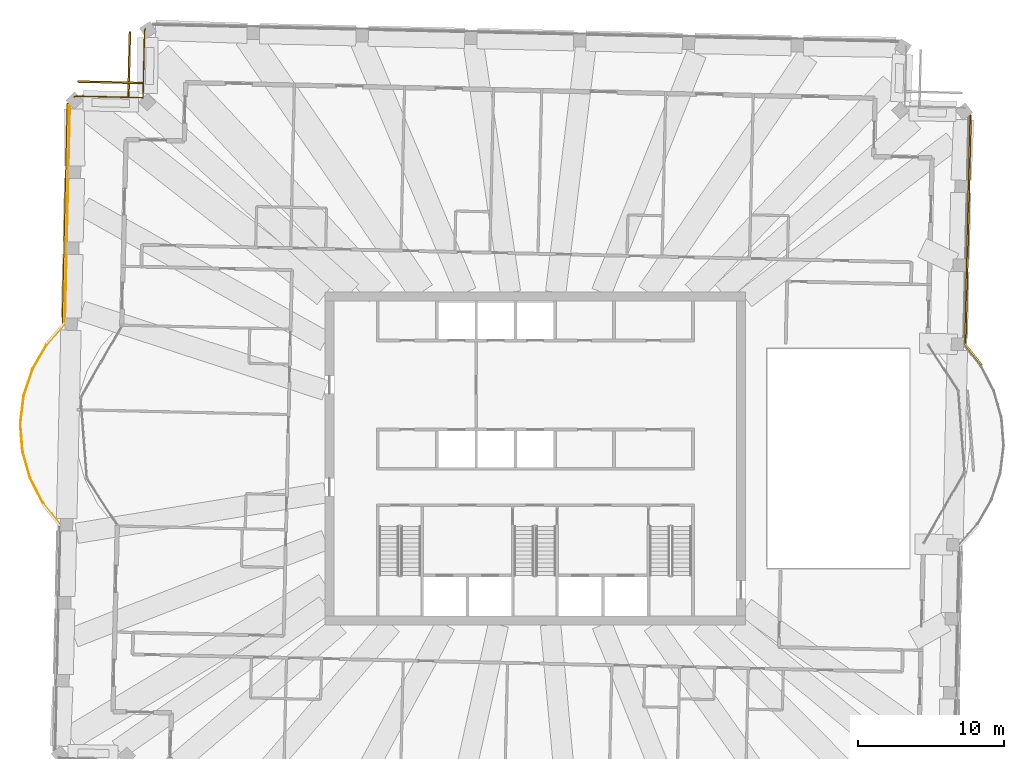
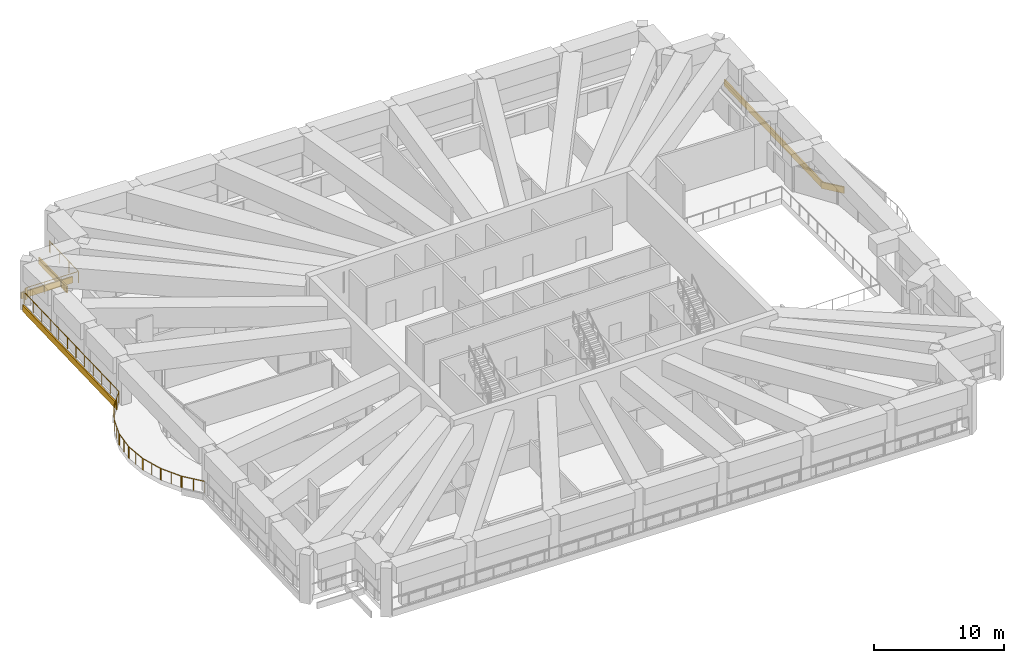
# One storey, part 20 of 21: 5 coverings, 2 railings.
"""IFC4 building model written with IfcOpenShell, lengths in metres."""

from ifc_helpers import new_model, si_unit, direction, frame, frame_2d, origin, origin_2d, place, context, subcontext, project, spatial, rectangle, extrude, material, layer, layer_set, type_object, element, save


model = new_model("IFC4")

# Units and contexts
model_context = context("Model", 3, precision=1e-05, world=origin(), true_north=direction((0.0, 1.0)))
body_context = subcontext(model_context, "Body", "Model", "MODEL_VIEW")
ifc_project = project(units=[si_unit("LENGTHUNIT", "METRE"), si_unit("AREAUNIT", "SQUARE_METRE"), si_unit("VOLUMEUNIT", "CUBIC_METRE"), si_unit("PLANEANGLEUNIT", "RADIAN"), si_unit("MASSUNIT", "GRAM", prefix="KILO")], contexts=[model_context])

# Site, building, storey
site_placement = place(None, origin())
site = spatial("IfcSite", under=ifc_project, at=site_placement, CompositionType="ELEMENT")
building_placement = place(site_placement, origin())
building = spatial("IfcBuilding", under=site, at=building_placement, Name="Mangrove Gate Tower", CompositionType="ELEMENT")
storey_placement = place(building_placement, frame((0.0, 0.0, 329.699951171875)))
storey = spatial("IfcBuildingStorey", under=building, at=storey_placement, Name="L84", CompositionType="ELEMENT", Elevation=329.699951171875)

# Railings
ifc_material_1 = material(Name="Stainless steel grade 316 with laminated glass infill", Category="steel")
railing_type = type_object("IfcRailingType", Name="Balcony guard 1100", PredefinedType="GUARDRAIL", material=ifc_material_1)
railing_1_placement = place(storey_placement, frame((-32.555908203125, -4.514892578125, 0.0)))
element("IfcRailing", 1, at=railing_1_placement, inside=storey, type_object=railing_type, Name="GUARD L84 T1.1", PredefinedType="GUARDRAIL", context=body_context, shape_type="SweptSolid", body=[
    extrude(rectangle(XDim=0.048095703125, YDim=0.048095703125, at=origin_2d()), frame((0.0, 0.0, 1.076171875), z_axis=(-0.6255800572, 0.780159978487, 0.0), x_axis=(-0.780159978487, -0.6255800572, 0.0)), (0.0, 0.0, 1.0), 1.849365234375),
    extrude(rectangle(XDim=0.048095703125, YDim=0.048095703125, at=origin_2d()), frame((-1.156982421875, 1.44287109375, 1.076171875), z_axis=(-0.57801734078, 0.816024481102, 0.0), x_axis=(-0.816024481102, -0.57801734078, 0.0)), (0.0, 0.0, 1.0), 0.05029296875),
    extrude(rectangle(XDim=0.048095703125, YDim=0.048095703125, at=origin_2d()), frame((-1.18603515625, 1.48388671875, 1.076171875), z_axis=(-0.519484808927, 0.854479685712, 0.0), x_axis=(-0.854479685712, -0.519484808927, 0.0)), (0.0, 0.0, 1.0), 0.05029296875),
    extrude(rectangle(XDim=0.048095703125, YDim=0.048095703125, at=origin_2d()), frame((-1.212158203125, 1.52685546875, 1.076171875), z_axis=(-0.45843707563, 0.888726869003, 0.0), x_axis=(-0.888726869003, -0.45843707563, 0.0)), (0.0, 0.0, 1.0), 1.812744140625),
    extrude(rectangle(XDim=0.048095703125, YDim=0.048095703125, at=origin_2d()), frame((-2.043212890625, 3.137939453125, 1.076171875), z_axis=(-0.402905301271, 0.915241672023, 0.0), x_axis=(-0.915241672023, -0.402905301271, 0.0)), (0.0, 0.0, 1.0), 0.049072265625),
    extrude(rectangle(XDim=0.048095703125, YDim=0.048095703125, at=origin_2d()), frame((-2.06298828125, 3.182861328125, 1.076171875), z_axis=(-0.317671360445, 0.948200878903, 0.0), x_axis=(-0.948200878903, -0.317671360445, 0.0)), (0.0, 0.0, 1.0), 0.05078125),
    extrude(rectangle(XDim=0.048095703125, YDim=0.048095703125, at=origin_2d()), frame((-2.0791015625, 3.23095703125, 1.076171875), z_axis=(-0.273136815352, 0.961975197237, 0.0), x_axis=(-0.961975197237, -0.273136815352, 0.0)), (0.0, 0.0, 1.0), 1.811767578125),
    extrude(rectangle(XDim=0.048095703125, YDim=0.048095703125, at=origin_2d()), frame((-2.573974609375, 4.973876953125, 1.076171875), z_axis=(-0.241399461295, 0.970425834408, 0.0), x_axis=(-0.970425834408, -0.241399461295, 0.0)), (0.0, 0.0, 1.0), 0.050537109375),
    extrude(rectangle(XDim=0.048095703125, YDim=0.048095703125, at=origin_2d()), frame((-2.586181640625, 5.02294921875, 1.076171875), z_axis=(-0.119145220618, 0.992876838487, 0.0), x_axis=(-0.992876838487, -0.119145220618, 0.0)), (0.0, 0.0, 1.0), 0.049072265625),
    extrude(rectangle(XDim=0.048095703125, YDim=0.048095703125, at=origin_2d()), frame((-2.592041015625, 5.07177734375, 1.076171875), z_axis=(-0.076737678998, 0.997051316945, 0.0), x_axis=(-0.997051316945, -0.076737678998, 0.0)), (0.0, 0.0, 1.0), 1.8134765625),
    extrude(rectangle(XDim=0.048095703125, YDim=0.048095703125, at=origin_2d()), frame((-2.731201171875, 6.8798828125, 1.076171875), z_axis=(-0.03899470896, 0.999239417093, 0.0), x_axis=(-0.999239417093, -0.03899470896, 0.0)), (0.0, 0.0, 1.0), 0.050048828125),
    extrude(rectangle(XDim=0.048095703125, YDim=0.048095703125, at=origin_2d()), frame((-2.733154296875, 6.929931640625, 1.076171875), z_axis=(0.084276225487, 0.996442430759, 0.0), x_axis=(-0.996442430759, 0.084276225487, 0.0)), (0.0, 0.0, 1.0), 0.04931640625),
    extrude(rectangle(XDim=0.048095703125, YDim=0.048095703125, at=origin_2d()), frame((-2.72900390625, 6.97900390625, 1.076171875), z_axis=(0.121912255429, 0.992540881766, 0.0), x_axis=(-0.992540881766, 0.121912255429, 0.0)), (0.0, 0.0, 1.0), 1.812255859375),
    extrude(rectangle(XDim=0.048095703125, YDim=0.048095703125, at=origin_2d()), frame((-2.508056640625, 8.77783203125, 1.076171875), z_axis=(0.181037892988, 0.983476121369, 0.0), x_axis=(-0.983476121369, 0.181037892988, 0.0)), (0.0, 0.0, 1.0), 0.0498046875),
    extrude(rectangle(XDim=0.048095703125, YDim=0.048095703125, at=origin_2d()), frame((-2.4990234375, 8.826904296875, 1.076171875), z_axis=(0.259797678908, 0.965663070659, 0.0), x_axis=(-0.965663070659, 0.259797678908, 0.0)), (0.0, 0.0, 1.0), 0.0498046875),
    extrude(rectangle(XDim=0.048095703125, YDim=0.048095703125, at=origin_2d()), frame((-2.486083984375, 8.875, 1.076171875), z_axis=(0.316550896183, 0.948575526843, 0.0), x_axis=(-0.948575526843, 0.316550896183, 0.0)), (0.0, 0.0, 1.0), 1.813232421875),
    extrude(rectangle(XDim=0.048095703125, YDim=0.048095703125, at=origin_2d()), frame((-1.912109375, 10.594970703125, 1.076171875), z_axis=(0.366264831108, 0.930510652004, 0.0), x_axis=(-0.930510652004, 0.366264831108, 0.0)), (0.0, 0.0, 1.0), 0.04931640625),
    extrude(rectangle(XDim=0.048095703125, YDim=0.048095703125, at=origin_2d()), frame((-1.89404296875, 10.640869140625, 1.076171875), z_axis=(0.45494050276, 0.890521835189, 0.0), x_axis=(-0.890521835189, 0.45494050276, 0.0)), (0.0, 0.0, 1.0), 0.050537109375),
    extrude(rectangle(XDim=0.048095703125, YDim=0.048095703125, at=origin_2d()), frame((-1.87109375, 10.685791015625, 1.076171875), z_axis=(0.498357212209, 0.866971792528, 0.0), x_axis=(-0.866971792528, 0.498357212209, 0.0)), (0.0, 0.0, 1.0), 1.81201171875),
    extrude(rectangle(XDim=0.048095703125, YDim=0.048095703125, at=origin_2d()), frame((-0.968017578125, 12.2568359375, 1.076171875), z_axis=(0.538775689721, 0.842449260291, 0.0), x_axis=(-0.842449260291, 0.538775689721, 0.0)), (0.0, 0.0, 1.0), 0.0498046875),
    extrude(rectangle(XDim=0.048095703125, YDim=0.048095703125, at=origin_2d()), frame((-0.941162109375, 12.298828125, 1.076171875), z_axis=(0.621705532722, 0.783251064846, 0.0), x_axis=(-0.783251064846, 0.621705532722, 0.0)), (0.0, 0.0, 1.0), 0.0498046875),
    extrude(rectangle(XDim=0.048095703125, YDim=0.048095703125, at=origin_2d()), frame((-0.91015625, 12.337890625, 1.076171875), z_axis=(0.660342378742, 0.750964674826, 0.0), x_axis=(-0.750964674826, 0.660342378742, 0.0)), (0.0, 0.0, 1.0), 1.850830078125),
    extrude(rectangle(XDim=0.048095703125, YDim=0.048095703125, at=origin_2d()), frame((0.31201171875, 13.727783203125, 1.076171875), z_axis=(0.563961646158, 0.825800981874, 0.0), x_axis=(-0.825800981874, 0.563961646158, 0.0)), (0.0, 0.0, 1.0), 0.01220703125),
    extrude(rectangle(XDim=0.048095703125, YDim=0.048095703125, at=origin_2d()), frame((0.31884765625, 13.73779296875, 1.076171875), z_axis=(0.079745222283, 0.996815278536, 0.0), x_axis=(-0.996815278536, 0.079745222283, 0.0)), (0.0, 0.0, 1.0), 0.01220703125),
    extrude(rectangle(XDim=0.048095703125, YDim=0.048095703125, at=origin_2d()), frame((0.31982421875, 13.75, 1.076171875), z_axis=(0.022698652356, 0.999742352399, 0.0), x_axis=(-0.999742352399, 0.022698652356, 0.0)), (0.0, 0.0, 1.0), 15.11181640625),
    extrude(rectangle(XDim=0.048095703125, YDim=0.048095703125, at=origin_2d()), frame((0.662841796875, 28.85791015625, 1.076171875), z_axis=(0.084276225487, 0.996442430759, 0.0), x_axis=(-0.996442430759, 0.084276225487, 0.0)), (0.0, 0.0, 1.0), 0.04931640625),
    extrude(rectangle(XDim=0.048095703125, YDim=0.048095703125, at=origin_2d()), frame((0.6669921875, 28.906982421875, 1.076171875), z_axis=(0.161131898902, 0.986932880776, 0.0), x_axis=(-0.986932880776, 0.161131898902, 0.0)), (0.0, 0.0, 1.0), 0.048583984375),
    extrude(rectangle(XDim=0.048095703125, YDim=0.048095703125, at=origin_2d()), frame((0.6748046875, 28.954833984375, 1.076171875), z_axis=(0.26435990501, 0.964424097907, 0.0), x_axis=(-0.964424097907, 0.26435990501, 0.0)), (0.0, 0.0, 1.0), 0.0498046875),
    extrude(rectangle(XDim=0.048095703125, YDim=0.048095703125, at=origin_2d()), frame((0.68798828125, 29.0029296875, 1.076171875), z_axis=(0.344548077029, 0.938768673644, 0.0), x_axis=(-0.938768673644, 0.344548077029, 0.0)), (0.0, 0.0, 1.0), 0.048828125),
    extrude(rectangle(XDim=0.048095703125, YDim=0.048095703125, at=origin_2d()), frame((0.704833984375, 29.048828125, 1.076171875), z_axis=(0.464328266824, 0.885663175608, 0.0), x_axis=(-0.885663175608, 0.464328266824, 0.0)), (0.0, 0.0, 1.0), 0.0283203125),
    extrude(rectangle(XDim=0.0419921875, YDim=0.0419921875, at=origin_2d()), origin(), (0.0, 0.0, 1.0), 1.052001953125),
    extrude(rectangle(XDim=0.0419921875, YDim=0.0419921875, at=origin_2d()), frame((-0.57861328125, 0.721435546875, 0.0)), (0.0, 0.0, 1.0), 1.052001953125),
    extrude(rectangle(XDim=0.0419921875, YDim=0.0419921875, at=origin_2d()), frame((-1.156982421875, 1.44287109375, 0.0)), (0.0, 0.0, 1.0), 1.052001953125),
    extrude(rectangle(XDim=0.0419921875, YDim=0.0419921875, at=origin_2d()), frame((-1.18603515625, 1.48388671875, 0.0)), (0.0, 0.0, 1.0), 1.052001953125),
    extrude(rectangle(XDim=0.0419921875, YDim=0.0419921875, at=origin_2d()), frame((-1.212158203125, 1.52685546875, 0.0)), (0.0, 0.0, 1.0), 1.052001953125),
    extrude(rectangle(XDim=0.0419921875, YDim=0.0419921875, at=origin_2d()), frame((-1.627685546875, 2.33251953125, 0.0)), (0.0, 0.0, 1.0), 1.052001953125),
    extrude(rectangle(XDim=0.0419921875, YDim=0.0419921875, at=origin_2d()), frame((-2.043212890625, 3.137939453125, 0.0)), (0.0, 0.0, 1.0), 1.052001953125),
    extrude(rectangle(XDim=0.0419921875, YDim=0.0419921875, at=origin_2d()), frame((-2.06298828125, 3.182861328125, 0.0)), (0.0, 0.0, 1.0), 1.052001953125),
    extrude(rectangle(XDim=0.0419921875, YDim=0.0419921875, at=origin_2d()), frame((-2.0791015625, 3.23095703125, 0.0)), (0.0, 0.0, 1.0), 1.052001953125),
    extrude(rectangle(XDim=0.0419921875, YDim=0.0419921875, at=origin_2d()), frame((-2.32666015625, 4.1025390625, 0.0)), (0.0, 0.0, 1.0), 1.052001953125),
    extrude(rectangle(XDim=0.0419921875, YDim=0.0419921875, at=origin_2d()), frame((-2.573974609375, 4.973876953125, 0.0)), (0.0, 0.0, 1.0), 1.052001953125),
    extrude(rectangle(XDim=0.0419921875, YDim=0.0419921875, at=origin_2d()), frame((-2.586181640625, 5.02294921875, 0.0)), (0.0, 0.0, 1.0), 1.052001953125),
    extrude(rectangle(XDim=0.0419921875, YDim=0.0419921875, at=origin_2d()), frame((-2.592041015625, 5.07177734375, 0.0)), (0.0, 0.0, 1.0), 1.052001953125),
    extrude(rectangle(XDim=0.0419921875, YDim=0.0419921875, at=origin_2d()), frame((-2.66162109375, 5.975830078125, 0.0)), (0.0, 0.0, 1.0), 1.052001953125),
    extrude(rectangle(XDim=0.0419921875, YDim=0.0419921875, at=origin_2d()), frame((-2.731201171875, 6.8798828125, 0.0)), (0.0, 0.0, 1.0), 1.052001953125),
    extrude(rectangle(XDim=0.0419921875, YDim=0.0419921875, at=origin_2d()), frame((-2.733154296875, 6.929931640625, 0.0)), (0.0, 0.0, 1.0), 1.052001953125),
    extrude(rectangle(XDim=0.0419921875, YDim=0.0419921875, at=origin_2d()), frame((-2.72900390625, 6.97900390625, 0.0)), (0.0, 0.0, 1.0), 1.052001953125),
    extrude(rectangle(XDim=0.0419921875, YDim=0.0419921875, at=origin_2d()), frame((-2.61865234375, 7.87841796875, 0.0)), (0.0, 0.0, 1.0), 1.052001953125),
    extrude(rectangle(XDim=0.0419921875, YDim=0.0419921875, at=origin_2d()), frame((-2.508056640625, 8.77783203125, 0.0)), (0.0, 0.0, 1.0), 1.052001953125),
    extrude(rectangle(XDim=0.0419921875, YDim=0.0419921875, at=origin_2d()), frame((-2.4990234375, 8.826904296875, 0.0)), (0.0, 0.0, 1.0), 1.052001953125),
    extrude(rectangle(XDim=0.0419921875, YDim=0.0419921875, at=origin_2d()), frame((-2.486083984375, 8.875, 0.0)), (0.0, 0.0, 1.0), 1.052001953125),
    extrude(rectangle(XDim=0.0419921875, YDim=0.0419921875, at=origin_2d()), frame((-2.19921875, 9.73486328125, 0.0)), (0.0, 0.0, 1.0), 1.052001953125),
    extrude(rectangle(XDim=0.0419921875, YDim=0.0419921875, at=origin_2d()), frame((-1.912109375, 10.594970703125, 0.0)), (0.0, 0.0, 1.0), 1.052001953125),
    extrude(rectangle(XDim=0.0419921875, YDim=0.0419921875, at=origin_2d()), frame((-1.89404296875, 10.640869140625, 0.0)), (0.0, 0.0, 1.0), 1.052001953125),
    extrude(rectangle(XDim=0.0419921875, YDim=0.0419921875, at=origin_2d()), frame((-1.87109375, 10.685791015625, 0.0)), (0.0, 0.0, 1.0), 1.052001953125),
    extrude(rectangle(XDim=0.0419921875, YDim=0.0419921875, at=origin_2d()), frame((-1.41943359375, 11.47119140625, 0.0)), (0.0, 0.0, 1.0), 1.052001953125),
    extrude(rectangle(XDim=0.0419921875, YDim=0.0419921875, at=origin_2d()), frame((-0.968017578125, 12.2568359375, 0.0)), (0.0, 0.0, 1.0), 1.052001953125),
    extrude(rectangle(XDim=0.0419921875, YDim=0.0419921875, at=origin_2d()), frame((-0.941162109375, 12.298828125, 0.0)), (0.0, 0.0, 1.0), 1.052001953125),
    extrude(rectangle(XDim=0.0419921875, YDim=0.0419921875, at=origin_2d()), frame((-0.91015625, 12.337890625, 0.0)), (0.0, 0.0, 1.0), 1.052001953125),
    extrude(rectangle(XDim=0.0419921875, YDim=0.0419921875, at=origin_2d()), frame((-0.299072265625, 13.03271484375, 0.0)), (0.0, 0.0, 1.0), 1.052001953125),
    extrude(rectangle(XDim=0.0419921875, YDim=0.0419921875, at=origin_2d()), frame((0.31201171875, 13.727783203125, 0.0)), (0.0, 0.0, 1.0), 1.052001953125),
    extrude(rectangle(XDim=0.0419921875, YDim=0.0419921875, at=origin_2d()), frame((0.31884765625, 13.73779296875, 0.0)), (0.0, 0.0, 1.0), 1.052001953125),
    extrude(rectangle(XDim=0.0419921875, YDim=0.0419921875, at=origin_2d()), frame((0.31982421875, 13.75, 0.0)), (0.0, 0.0, 1.0), 1.052001953125),
    extrude(rectangle(XDim=0.0419921875, YDim=0.0419921875, at=origin_2d()), frame((0.35107421875, 15.12353515625, 0.0)), (0.0, 0.0, 1.0), 1.052001953125),
    extrude(rectangle(XDim=0.0419921875, YDim=0.0419921875, at=origin_2d()), frame((0.382080078125, 16.496826171875, 0.0)), (0.0, 0.0, 1.0), 1.052001953125),
    extrude(rectangle(XDim=0.0419921875, YDim=0.0419921875, at=origin_2d()), frame((0.413330078125, 17.870361328125, 0.0)), (0.0, 0.0, 1.0), 1.052001953125),
    extrude(rectangle(XDim=0.0419921875, YDim=0.0419921875, at=origin_2d()), frame((0.444580078125, 19.243896484375, 0.0)), (0.0, 0.0, 1.0), 1.052001953125),
    extrude(rectangle(XDim=0.0419921875, YDim=0.0419921875, at=origin_2d()), frame((0.475830078125, 20.6171875, 0.0)), (0.0, 0.0, 1.0), 1.052001953125),
    extrude(rectangle(XDim=0.0419921875, YDim=0.0419921875, at=origin_2d()), frame((0.5068359375, 21.99072265625, 0.0)), (0.0, 0.0, 1.0), 1.052001953125),
    extrude(rectangle(XDim=0.0419921875, YDim=0.0419921875, at=origin_2d()), frame((0.5380859375, 23.364013671875, 0.0)), (0.0, 0.0, 1.0), 1.052001953125),
    extrude(rectangle(XDim=0.0419921875, YDim=0.0419921875, at=origin_2d()), frame((0.5693359375, 24.737548828125, 0.0)), (0.0, 0.0, 1.0), 1.052001953125),
    extrude(rectangle(XDim=0.0419921875, YDim=0.0419921875, at=origin_2d()), frame((0.6005859375, 26.111083984375, 0.0)), (0.0, 0.0, 1.0), 1.052001953125),
    extrude(rectangle(XDim=0.0419921875, YDim=0.0419921875, at=origin_2d()), frame((0.631591796875, 27.484375, 0.0)), (0.0, 0.0, 1.0), 1.052001953125),
    extrude(rectangle(XDim=0.0419921875, YDim=0.0419921875, at=origin_2d()), frame((0.662841796875, 28.85791015625, 0.0)), (0.0, 0.0, 1.0), 1.052001953125),
    extrude(rectangle(XDim=0.0419921875, YDim=0.0419921875, at=origin_2d()), frame((0.6669921875, 28.906982421875, 0.0)), (0.0, 0.0, 1.0), 1.052001953125),
    extrude(rectangle(XDim=0.0419921875, YDim=0.0419921875, at=origin_2d()), frame((0.6748046875, 28.954833984375, 0.0)), (0.0, 0.0, 1.0), 1.052001953125),
    extrude(rectangle(XDim=0.0419921875, YDim=0.0419921875, at=origin_2d()), frame((0.68798828125, 29.0029296875, 0.0)), (0.0, 0.0, 1.0), 1.052001953125),
    extrude(rectangle(XDim=0.0419921875, YDim=0.0419921875, at=origin_2d()), frame((0.704833984375, 29.048828125, 0.0)), (0.0, 0.0, 1.0), 1.052001953125),
    extrude(rectangle(XDim=0.0419921875, YDim=0.0419921875, at=origin_2d()), frame((0.718017578125, 29.073974609375, 0.0)), (0.0, 0.0, 1.0), 1.052001953125),
])
railing_2_placement = place(storey_placement, frame((-31.59912109375, 24.787109375, 0.0)))
element("IfcRailing", 2, at=railing_2_placement, inside=storey, type_object=railing_type, Name="GUARD L84 T1.2", PredefinedType="GUARDRAIL", context=body_context, shape_type="SweptSolid", body=[
    extrude(rectangle(XDim=0.048095703125, YDim=0.048095703125, at=origin_2d()), frame((0.0, 0.0, 1.076171875), z_axis=(0.916361402872, 0.400352069216, 0.0), x_axis=(-0.400352069216, 0.916361402872, 0.0)), (0.0, 0.0, 1.0), 0.02734375),
    extrude(rectangle(XDim=0.048095703125, YDim=0.048095703125, at=origin_2d()), frame((0.025146484375, 0.010986328125, 1.076171875), z_axis=(0.953056074033, 0.302793856854, 0.0), x_axis=(-0.302793856854, 0.953056074033, 0.0)), (0.0, 0.0, 1.0), 0.049072265625),
    extrude(rectangle(XDim=0.048095703125, YDim=0.048095703125, at=origin_2d()), frame((0.072021484375, 0.02587890625, 1.076171875), z_axis=(0.974889210585, 0.222690428814, 0.0), x_axis=(-0.222690428814, 0.974889210585, 0.0)), (0.0, 0.0, 1.0), 0.04931640625),
    extrude(rectangle(XDim=0.048095703125, YDim=0.048095703125, at=origin_2d()), frame((0.1201171875, 0.036865234375, 1.076171875), z_axis=(0.992043715201, 0.125893872487, 0.0), x_axis=(-0.125893872487, 0.992043715201, 0.0)), (0.0, 0.0, 1.0), 0.048583984375),
    extrude(rectangle(XDim=0.048095703125, YDim=0.048095703125, at=origin_2d()), frame((0.168212890625, 0.04296875, 1.076171875), z_axis=(0.999200958722, 0.039968038349, 0.0), x_axis=(-0.039968038349, 0.999200958722, 0.0)), (0.0, 0.0, 1.0), 0.048828125),
    extrude(rectangle(XDim=0.048095703125, YDim=0.048095703125, at=origin_2d()), frame((0.217041015625, 0.044921875, 1.076171875), z_axis=(0.999741470343, -0.022737468557, 0.0), x_axis=(0.022737468557, 0.999741470343, 0.0)), (0.0, 0.0, 1.0), 4.48828125),
    extrude(rectangle(XDim=0.048095703125, YDim=0.048095703125, at=origin_2d()), frame((4.7041015625, -0.05712890625, 1.076171875), z_axis=(1.0, 0.0, 0.0), x_axis=(0.0, 1.0, 0.0)), (0.0, 0.0, 1.0), 0.011962890625),
    extrude(rectangle(XDim=0.048095703125, YDim=0.048095703125, at=origin_2d()), frame((4.716064453125, -0.05712890625, 1.076171875), z_axis=(0.0, 1.0, 0.0), x_axis=(-1.0, 0.0, 0.0)), (0.0, 0.0, 1.0), 0.011962890625),
    extrude(rectangle(XDim=0.048095703125, YDim=0.048095703125, at=origin_2d()), frame((4.716064453125, -0.045166015625, 1.076171875), z_axis=(0.02274241565, 0.999741357817, 0.0), x_axis=(-0.999741357817, 0.02274241565, 0.0)), (0.0, 0.0, 1.0), 4.4873046875),
    extrude(rectangle(XDim=0.048095703125, YDim=0.048095703125, at=origin_2d()), frame((4.818115234375, 4.44091796875, 1.076171875), z_axis=(0.079350984209, 0.996846739125, 0.0), x_axis=(-0.996846739125, 0.079350984209, 0.0)), (0.0, 0.0, 1.0), 0.04931640625),
    extrude(rectangle(XDim=0.048095703125, YDim=0.048095703125, at=origin_2d()), frame((4.822021484375, 4.489990234375, 1.076171875), z_axis=(0.162798782993, 0.986659290868, 0.0), x_axis=(-0.986659290868, 0.162798782993, 0.0)), (0.0, 0.0, 1.0), 0.049560546875),
    extrude(rectangle(XDim=0.048095703125, YDim=0.048095703125, at=origin_2d()), frame((4.830078125, 4.538818359375, 1.076171875), z_axis=(0.264808083684, 0.964301134924, 0.0), x_axis=(-0.964301134924, 0.264808083684, 0.0)), (0.0, 0.0, 1.0), 0.048828125),
    extrude(rectangle(XDim=0.048095703125, YDim=0.048095703125, at=origin_2d()), frame((4.843017578125, 4.5859375, 1.076171875), z_axis=(0.366264831108, 0.930510652004, 0.0), x_axis=(-0.930510652004, 0.366264831108, 0.0)), (0.0, 0.0, 1.0), 0.04931640625),
    extrude(rectangle(XDim=0.048095703125, YDim=0.048095703125, at=origin_2d()), frame((4.861083984375, 4.6318359375, 1.076171875), z_axis=(0.429593233056, 0.903022510302, 0.0), x_axis=(-0.903022510302, 0.429593233056, 0.0)), (0.0, 0.0, 1.0), 0.02783203125),
    extrude(rectangle(XDim=0.0419921875, YDim=0.0419921875, at=origin_2d()), origin(), (0.0, 0.0, 1.0), 1.052001953125),
    extrude(rectangle(XDim=0.0419921875, YDim=0.0419921875, at=origin_2d()), frame((0.025146484375, 0.010986328125, 0.0)), (0.0, 0.0, 1.0), 1.052001953125),
    extrude(rectangle(XDim=0.0419921875, YDim=0.0419921875, at=origin_2d()), frame((0.072021484375, 0.02587890625, 0.0)), (0.0, 0.0, 1.0), 1.052001953125),
    extrude(rectangle(XDim=0.0419921875, YDim=0.0419921875, at=origin_2d()), frame((0.1201171875, 0.036865234375, 0.0)), (0.0, 0.0, 1.0), 1.052001953125),
    extrude(rectangle(XDim=0.0419921875, YDim=0.0419921875, at=origin_2d()), frame((0.168212890625, 0.04296875, 0.0)), (0.0, 0.0, 1.0), 1.052001953125),
    extrude(rectangle(XDim=0.0419921875, YDim=0.0419921875, at=origin_2d()), frame((0.217041015625, 0.044921875, 0.0)), (0.0, 0.0, 1.0), 1.052001953125),
    extrude(rectangle(XDim=0.0419921875, YDim=0.0419921875, at=origin_2d()), frame((1.712646484375, 0.010986328125, 0.0)), (0.0, 0.0, 1.0), 1.052001953125),
    extrude(rectangle(XDim=0.0419921875, YDim=0.0419921875, at=origin_2d()), frame((3.20849609375, -0.023193359375, 0.0)), (0.0, 0.0, 1.0), 1.052001953125),
    extrude(rectangle(XDim=0.0419921875, YDim=0.0419921875, at=origin_2d()), frame((4.7041015625, -0.05712890625, 0.0)), (0.0, 0.0, 1.0), 1.052001953125),
    extrude(rectangle(XDim=0.0419921875, YDim=0.0419921875, at=origin_2d()), frame((4.716064453125, -0.05712890625, 0.0)), (0.0, 0.0, 1.0), 1.052001953125),
    extrude(rectangle(XDim=0.0419921875, YDim=0.0419921875, at=origin_2d()), frame((4.716064453125, -0.045166015625, 0.0)), (0.0, 0.0, 1.0), 1.052001953125),
    extrude(rectangle(XDim=0.0419921875, YDim=0.0419921875, at=origin_2d()), frame((4.75, 1.4501953125, 0.0)), (0.0, 0.0, 1.0), 1.052001953125),
    extrude(rectangle(XDim=0.0419921875, YDim=0.0419921875, at=origin_2d()), frame((4.7841796875, 2.945556640625, 0.0)), (0.0, 0.0, 1.0), 1.052001953125),
    extrude(rectangle(XDim=0.0419921875, YDim=0.0419921875, at=origin_2d()), frame((4.818115234375, 4.44091796875, 0.0)), (0.0, 0.0, 1.0), 1.052001953125),
    extrude(rectangle(XDim=0.0419921875, YDim=0.0419921875, at=origin_2d()), frame((4.822021484375, 4.489990234375, 0.0)), (0.0, 0.0, 1.0), 1.052001953125),
    extrude(rectangle(XDim=0.0419921875, YDim=0.0419921875, at=origin_2d()), frame((4.830078125, 4.538818359375, 0.0)), (0.0, 0.0, 1.0), 1.052001953125),
    extrude(rectangle(XDim=0.0419921875, YDim=0.0419921875, at=origin_2d()), frame((4.843017578125, 4.5859375, 0.0)), (0.0, 0.0, 1.0), 1.052001953125),
    extrude(rectangle(XDim=0.0419921875, YDim=0.0419921875, at=origin_2d()), frame((4.861083984375, 4.6318359375, 0.0)), (0.0, 0.0, 1.0), 1.052001953125),
    extrude(rectangle(XDim=0.0419921875, YDim=0.0419921875, at=origin_2d()), frame((4.873046875, 4.656982421875, 0.0)), (0.0, 0.0, 1.0), 1.052001953125),
])

# Coverings
ifc_material_2 = material(Name="Limestone", Category="masonry")
ifc_layer_1 = layer(ifc_material_2, 0.0400390625, Name="Limestone cladding")
ifc_material_3 = material(Name="Stainless steel anchors and cavity", Category="steel")
ifc_layer_2 = layer(ifc_material_3, 0.080078125, Name="Fixing cavity")
ifc_layer_set = layer_set([ifc_layer_1, ifc_layer_2], Name="Joint fascia cladding 120")
covering_type = type_object("IfcCoveringType", Name="Joint fascia cladding 120", PredefinedType="CLADDING", material=ifc_layer_set)
covering_1_placement = place(storey_placement, frame((-32.3740234375, 9.238037109375, -0.599853515625), z_axis=(0.0, 0.0, 1.0), x_axis=(0.022634063012, 0.999743816781, 0.0)))
element("IfcCovering", 3, at=covering_1_placement, inside=storey, type_object=covering_type, Name="STONE FASCIA L84 TB111-1.3", PredefinedType="CLADDING", context=body_context, shape_type="SweptSolid", body=[
    extrude(rectangle(XDim=15.11181640625, YDim=0.1201171875, at=frame_2d((7.555908203125, 0.0))), origin(), (0.0, 0.0, 1.0), 0.599853515625),
])
covering_2_placement = place(storey_placement, frame((-31.35888671875, 25.8310546875, -0.599853515625), z_axis=(0.0, 0.0, 1.0), x_axis=(0.999742251991, -0.022703074334, 0.0)))
element("IfcCovering", 4, at=covering_2_placement, inside=storey, type_object=covering_type, Name="STONE FASCIA L84 TB111-2.1", PredefinedType="CLADDING", context=body_context, shape_type="SweptSolid", body=[
    extrude(rectangle(XDim=4.5380859375, YDim=0.1201171875, at=frame_2d((2.26904296875, 0.0))), origin(), (0.0, 0.0, 1.0), 0.599853515625),
])
covering_3_placement = place(storey_placement, frame((-27.883056640625, 24.715087890625, -0.599853515625), z_axis=(0.0, 0.0, 1.0), x_axis=(0.022492827806, 0.999747004345, 0.0)))
element("IfcCovering", 5, at=covering_3_placement, inside=storey, type_object=covering_type, Name="STONE FASCIA L84 TB111-2.2", PredefinedType="CLADDING", context=body_context, shape_type="SweptSolid", body=[
    extrude(rectangle(XDim=4.537109375, YDim=0.1201171875, at=frame_2d((2.2685546875, 0.0))), origin(), (0.0, 0.0, 1.0), 0.599853515625),
])
covering_4_placement = place(storey_placement, frame((29.823974609375, 23.54296875, -0.599853515625), z_axis=(0.0, 0.0, 1.0), x_axis=(-0.022655048055, -0.999743341462, 0.0)))
element("IfcCovering", 6, at=covering_4_placement, inside=storey, type_object=covering_type, Name="STONE FASCIA L84 TB111-5.1", PredefinedType="CLADDING", context=body_context, shape_type="SweptSolid", body=[
    extrude(rectangle(XDim=15.712158203125, YDim=0.1201171875, at=frame_2d((7.85595703125, 0.0))), origin(), (0.0, 0.0, 1.0), 0.599853515625),
])
covering_5_placement = place(storey_placement, frame((29.39501953125, 7.909912109375, -0.599853515625), z_axis=(0.0, 0.0, 1.0), x_axis=(0.625478516963, -0.780241388813, 0.0)))
element("IfcCovering", 7, at=covering_5_placement, inside=storey, type_object=covering_type, Name="STONE FASCIA L84 TB111-5.2", PredefinedType="CLADDING", context=body_context, shape_type="SweptSolid", body=[
    extrude(rectangle(XDim=1.8994140625, YDim=0.1201171875, at=frame_2d((0.94970703125, 0.0))), origin(), (0.0, 0.0, 1.0), 0.599853515625),
])

save(model, "model.ifc")
